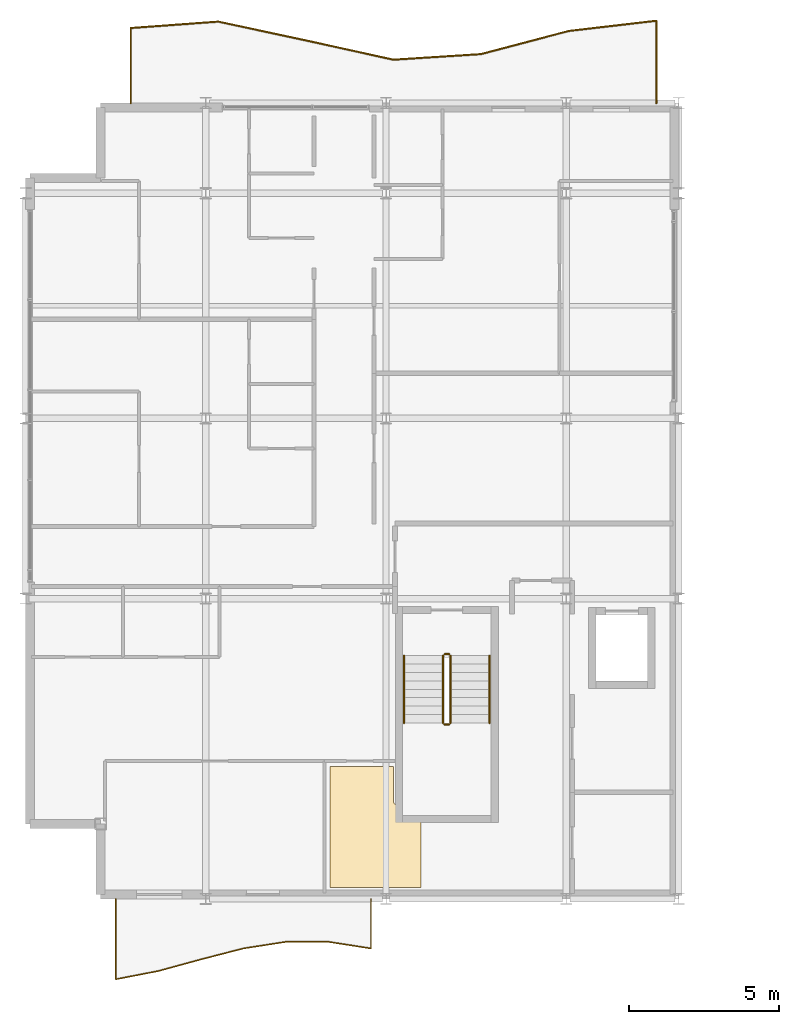
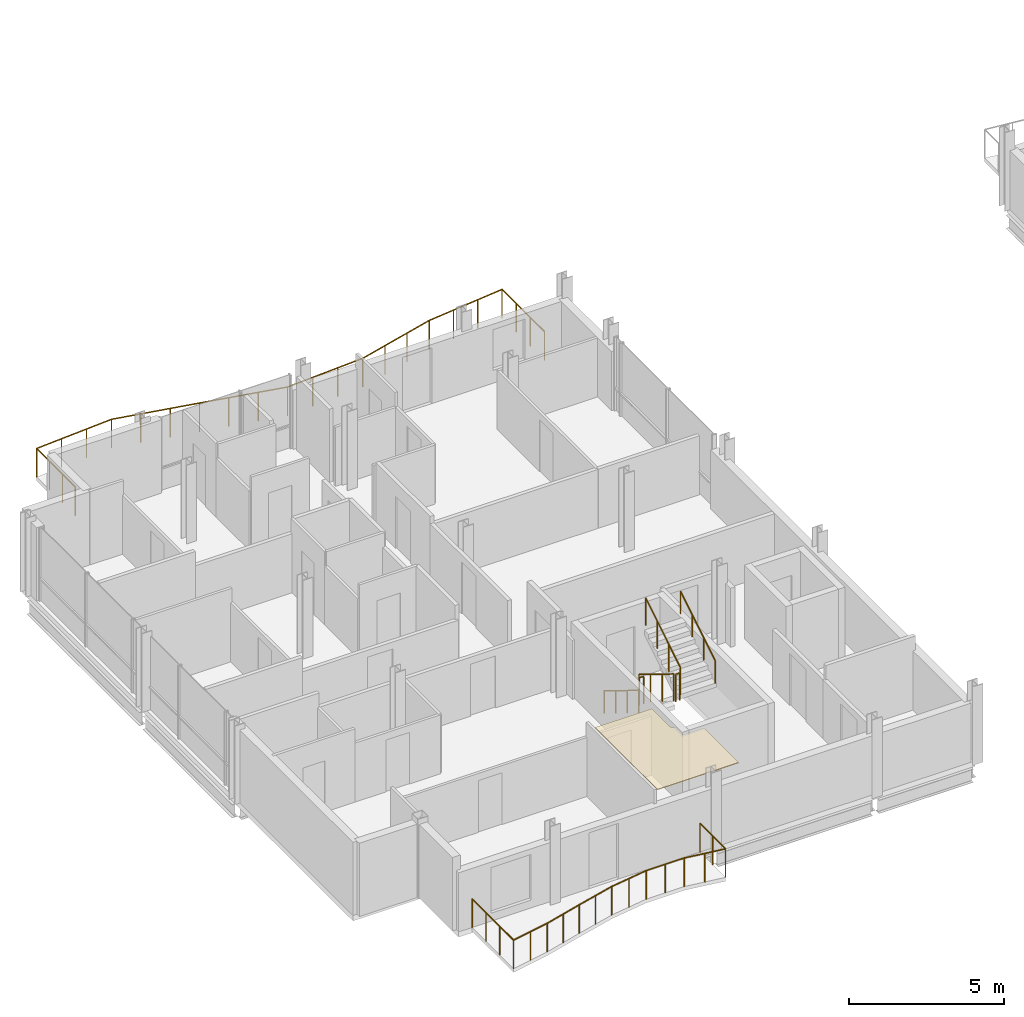
# One storey, part 28 of 29: 8 railings, 1 covering.
"""IFC4 building model written with IfcOpenShell, lengths in metres."""

from ifc_helpers import new_model, si_unit, direction, frame, origin, origin_2d, place, context, subcontext, project, spatial, polyline, circle, outline, extrude, material, layer, layer_set, type_object, element, save


model = new_model("IFC4")

# Units and contexts
model_context = context("Model", 3, precision=1e-05, world=origin(), true_north=direction((0.0, 1.0)))
body_context = subcontext(model_context, "Body", "Model", "MODEL_VIEW")
ifc_project = project(units=[si_unit("LENGTHUNIT", "METRE"), si_unit("AREAUNIT", "SQUARE_METRE"), si_unit("VOLUMEUNIT", "CUBIC_METRE"), si_unit("PLANEANGLEUNIT", "RADIAN"), si_unit("MASSUNIT", "GRAM", prefix="KILO")], contexts=[model_context])

# Site, building, storey
site_placement = place(None, origin())
site = spatial("IfcSite", under=ifc_project, at=site_placement, CompositionType="ELEMENT")
building_placement = place(site_placement, origin())
building = spatial("IfcBuilding", under=site, at=building_placement, Name="Brevholm Reach", CompositionType="ELEMENT")
storey_placement = place(building_placement, frame((0.0, 0.0, 201.800048828125)))
storey = spatial("IfcBuildingStorey", under=building, at=storey_placement, Name="L61", CompositionType="ELEMENT", Elevation=201.800048828125)

# Covering
ifc_material_1 = material(Name="Moisture-Resistant Skimmed Gypsum Plasterboard Ceiling", Category="gypsum")
ifc_layer = layer(ifc_material_1, 0.030029296875)
ifc_layer_set = layer_set([ifc_layer], Name="Moisture-Resistant Skimmed Gypsum Plasterboard Ceiling")
covering_type = type_object("IfcCoveringType", Name="COV-CLG-GYP", PredefinedType="CEILING", material=ifc_layer_set)
covering_placement = place(storey_placement, frame((0.0, 0.0, 2.68994140625)))
element("IfcCovering", 1, at=covering_placement, inside=storey, type_object=covering_type, Name="L61 Suspended Ceiling L61-26", PredefinedType="CEILING", context=body_context, shape_type="SweptSolid", body=[
    extrude(outline(polyline([(12.24609375, 4.406005859375), (12.24658203125, 3.277587890625), (12.24755859375, 3.260009765625), (12.250244140625, 3.24267578125), (12.25439453125, 3.2255859375), (12.260498046875, 3.208984375), (12.267822265625, 3.193115234375), (12.277099609375, 3.177978515625), (12.28759765625, 3.163818359375), (12.29931640625, 3.150634765625), (12.3125, 3.138916015625), (12.326416015625, 3.128173828125), (12.341796875, 3.119140625), (12.357666015625, 3.111572265625), (12.374267578125, 3.105712890625), (12.391357421875, 3.101318359375), (12.39990234375, 3.10009765625), (12.39990234375, 2.6298828125), (13.166015625, 2.6298828125), (13.166015625, 0.3798828125), (12.123779296875, 0.3798828125), (12.1162109375, 0.3828125), (12.077880859375, 0.392333984375), (12.039306640625, 0.398193359375), (12.0, 0.39990234375), (11.960693359375, 0.398193359375), (11.922119140625, 0.392333984375), (11.8837890625, 0.3828125), (11.876220703125, 0.3798828125), (10.1298828125, 0.3798828125), (10.1298828125, 4.406005859375), (12.24609375, 4.406005859375)])), origin(), (0.0, 0.0, 1.0), 0.030029296875),
])

# Railings
ifc_material_2 = material(Name="Brushed Stainless Steel EN 1.4401 and Laminated Glass", Category="steel")
railing_type_1 = type_object("IfcRailingType", Name="RAL-BALC-1150", PredefinedType="BALUSTRADE", material=ifc_material_2)
railing_1_placement = place(storey_placement, frame((21.0, 26.5, 0.0)))
element("IfcRailing", 2, at=railing_1_placement, inside=storey, type_object=railing_type_1, Name="L61 Guard Balustrade RAL-L61-BAL-NW", PredefinedType="BALUSTRADE", context=body_context, shape_type="SweptSolid", body=[
    extrude(circle(Radius=0.02392578125, at=origin_2d()), frame((0.0, 0.0, 1.1259765625), z_axis=(0.0, 1.0, 0.0), x_axis=(-1.0, 0.0, 0.0)), (0.0, 0.0, 1.0), 2.74169921875),
    extrude(circle(Radius=0.02392578125, at=origin_2d()), frame((0.0, 2.74169921875, 1.1259765625), z_axis=(-0.99329006652, -0.11564965954, 0.0), x_axis=(0.11564965954, -0.99329006652, 0.0)), (0.0, 0.0, 1.0), 2.9365234375),
    extrude(circle(Radius=0.02392578125, at=origin_2d()), frame((-2.916748046875, 2.402099609375, 1.1259765625), z_axis=(-0.966868735292, -0.255274065889, 0.0), x_axis=(0.255274065889, -0.966868735292, 0.0)), (0.0, 0.0, 1.0), 3.016357421875),
    extrude(circle(Radius=0.02392578125, at=origin_2d()), frame((-5.833251953125, 1.632080078125, 1.1259765625), z_axis=(-0.997945514781, -0.06406831923, 0.0), x_axis=(0.06406831923, -0.997945514781, 0.0)), (0.0, 0.0, 1.0), 2.9228515625),
    extrude(circle(Radius=0.02392578125, at=origin_2d()), frame((-8.75, 1.44482421875, 1.1259765625), z_axis=(-0.976615982801, 0.214991214093, 0.0), x_axis=(-0.214991214093, -0.976615982801, 0.0)), (0.0, 0.0, 1.0), 2.986572265625),
    extrude(circle(Radius=0.02392578125, at=origin_2d()), frame((-11.666748046875, 2.0869140625, 1.1259765625), z_axis=(-0.977716094956, 0.209931507079, 0.0), x_axis=(-0.209931507079, -0.977716094956, 0.0)), (0.0, 0.0, 1.0), 2.98291015625),
    extrude(circle(Radius=0.02392578125, at=origin_2d()), frame((-14.583251953125, 2.713134765625, 1.1259765625), z_axis=(-0.997334760815, -0.072961461535, 0.0), x_axis=(0.072961461535, -0.997334760815, 0.0)), (0.0, 0.0, 1.0), 2.924560546875),
    extrude(circle(Radius=0.02392578125, at=origin_2d()), frame((-17.5, 2.499755859375, 1.1259765625), z_axis=(0.0, -1.0, 0.0), x_axis=(1.0, 0.0, 0.0)), (0.0, 0.0, 1.0), 2.499755859375),
    extrude(circle(Radius=0.02099609375, at=origin_2d()), origin(), (0.0, 0.0, 1.0), 1.101806640625),
    extrude(circle(Radius=0.02099609375, at=origin_2d()), frame((0.0, 0.913818359375, 0.0)), (0.0, 0.0, 1.0), 1.101806640625),
    extrude(circle(Radius=0.02099609375, at=origin_2d()), frame((0.0, 1.827880859375, 0.0)), (0.0, 0.0, 1.0), 1.101806640625),
    extrude(circle(Radius=0.02099609375, at=origin_2d()), frame((0.0, 2.74169921875, 0.0)), (0.0, 0.0, 1.0), 1.101806640625),
    extrude(circle(Radius=0.02099609375, at=origin_2d()), frame((-0.97216796875, 2.62841796875, 0.0)), (0.0, 0.0, 1.0), 1.101806640625),
    extrude(circle(Radius=0.02099609375, at=origin_2d()), frame((-1.944580078125, 2.515380859375, 0.0)), (0.0, 0.0, 1.0), 1.101806640625),
    extrude(circle(Radius=0.02099609375, at=origin_2d()), frame((-2.916748046875, 2.402099609375, 0.0)), (0.0, 0.0, 1.0), 1.101806640625),
    extrude(circle(Radius=0.02099609375, at=origin_2d()), frame((-3.888916015625, 2.1455078125, 0.0)), (0.0, 0.0, 1.0), 1.101806640625),
    extrude(circle(Radius=0.02099609375, at=origin_2d()), frame((-4.861083984375, 1.888671875, 0.0)), (0.0, 0.0, 1.0), 1.101806640625),
    extrude(circle(Radius=0.02099609375, at=origin_2d()), frame((-5.833251953125, 1.632080078125, 0.0)), (0.0, 0.0, 1.0), 1.101806640625),
    extrude(circle(Radius=0.02099609375, at=origin_2d()), frame((-6.805419921875, 1.569580078125, 0.0)), (0.0, 0.0, 1.0), 1.101806640625),
    extrude(circle(Radius=0.02099609375, at=origin_2d()), frame((-7.77783203125, 1.50732421875, 0.0)), (0.0, 0.0, 1.0), 1.101806640625),
    extrude(circle(Radius=0.02099609375, at=origin_2d()), frame((-8.75, 1.44482421875, 0.0)), (0.0, 0.0, 1.0), 1.101806640625),
    extrude(circle(Radius=0.02099609375, at=origin_2d()), frame((-9.72216796875, 1.658935546875, 0.0)), (0.0, 0.0, 1.0), 1.101806640625),
    extrude(circle(Radius=0.02099609375, at=origin_2d()), frame((-10.694580078125, 1.872802734375, 0.0)), (0.0, 0.0, 1.0), 1.101806640625),
    extrude(circle(Radius=0.02099609375, at=origin_2d()), frame((-11.666748046875, 2.0869140625, 0.0)), (0.0, 0.0, 1.0), 1.101806640625),
    extrude(circle(Radius=0.02099609375, at=origin_2d()), frame((-12.638916015625, 2.295654296875, 0.0)), (0.0, 0.0, 1.0), 1.101806640625),
    extrude(circle(Radius=0.02099609375, at=origin_2d()), frame((-13.611083984375, 2.50439453125, 0.0)), (0.0, 0.0, 1.0), 1.101806640625),
    extrude(circle(Radius=0.02099609375, at=origin_2d()), frame((-14.583251953125, 2.713134765625, 0.0)), (0.0, 0.0, 1.0), 1.101806640625),
    extrude(circle(Radius=0.02099609375, at=origin_2d()), frame((-15.555419921875, 2.64208984375, 0.0)), (0.0, 0.0, 1.0), 1.101806640625),
    extrude(circle(Radius=0.02099609375, at=origin_2d()), frame((-16.52783203125, 2.57080078125, 0.0)), (0.0, 0.0, 1.0), 1.101806640625),
    extrude(circle(Radius=0.02099609375, at=origin_2d()), frame((-17.5, 2.499755859375, 0.0)), (0.0, 0.0, 1.0), 1.101806640625),
    extrude(circle(Radius=0.02099609375, at=origin_2d()), frame((-17.5, 1.66650390625, 0.0)), (0.0, 0.0, 1.0), 1.101806640625),
    extrude(circle(Radius=0.02099609375, at=origin_2d()), frame((-17.5, 0.833251953125, 0.0)), (0.0, 0.0, 1.0), 1.101806640625),
    extrude(circle(Radius=0.02099609375, at=origin_2d()), frame((-17.5, 0.0, 0.0)), (0.0, 0.0, 1.0), 1.101806640625),
])
railing_2_placement = place(storey_placement, frame((3.0, 0.0, 0.0)))
element("IfcRailing", 3, at=railing_2_placement, inside=storey, type_object=railing_type_1, Name="L61 Guard Balustrade RAL-L61-BAL-SW", PredefinedType="BALUSTRADE", context=body_context, shape_type="SweptSolid", body=[
    extrude(circle(Radius=0.02392578125, at=origin_2d()), frame((0.0, 0.0, 1.1259765625), z_axis=(0.0, -1.0, 0.0), x_axis=(1.0, 0.0, 0.0)), (0.0, 0.0, 1.0), 2.676513671875),
    extrude(circle(Radius=0.02392578125, at=origin_2d()), frame((0.0, -2.676513671875, 1.1259765625), z_axis=(0.98175336952, 0.190158674365, 0.0), x_axis=(-0.190158674365, 0.98175336952, 0.0)), (0.0, 0.0, 1.0), 1.443115234375),
    extrude(circle(Radius=0.02392578125, at=origin_2d()), frame((1.416748046875, -2.402099609375, 1.1259765625), z_axis=(0.964821360478, 0.262906337628, 0.0), x_axis=(-0.262906337628, 0.964821360478, 0.0)), (0.0, 0.0, 1.0), 1.46826171875),
    extrude(circle(Radius=0.02392578125, at=origin_2d()), frame((2.833251953125, -2.01611328125, 1.1259765625), z_axis=(0.968218696825, 0.250105088151, 0.0), x_axis=(-0.250105088151, 0.968218696825, 0.0)), (0.0, 0.0, 1.0), 1.463134765625),
    extrude(circle(Radius=0.02392578125, at=origin_2d()), frame((4.25, -1.650146484375, 1.1259765625), z_axis=(0.988082538492, 0.153924972393, 0.0), x_axis=(-0.153924972393, 0.988082538492, 0.0)), (0.0, 0.0, 1.0), 1.433837890625),
    extrude(circle(Radius=0.02392578125, at=origin_2d()), frame((5.666748046875, -1.429443359375, 1.1259765625), z_axis=(1.0, 0.0, 0.0), x_axis=(0.0, 1.0, 0.0)), (0.0, 0.0, 1.0), 1.41650390625),
    extrude(circle(Radius=0.02392578125, at=origin_2d()), frame((7.083251953125, -1.429443359375, 1.1259765625), z_axis=(0.988082538492, -0.153924972393, 0.0), x_axis=(0.153924972393, 0.988082538492, 0.0)), (0.0, 0.0, 1.0), 1.433837890625),
    extrude(circle(Radius=0.02392578125, at=origin_2d()), frame((8.5, -1.650146484375, 1.1259765625), z_axis=(0.0, 1.0, 0.0), x_axis=(-1.0, 0.0, 0.0)), (0.0, 0.0, 1.0), 1.650146484375),
    extrude(circle(Radius=0.02099609375, at=origin_2d()), origin(), (0.0, 0.0, 1.0), 1.101806640625),
    extrude(circle(Radius=0.02099609375, at=origin_2d()), frame((0.0, -0.89208984375, 0.0)), (0.0, 0.0, 1.0), 1.101806640625),
    extrude(circle(Radius=0.02099609375, at=origin_2d()), frame((0.0, -1.784423828125, 0.0)), (0.0, 0.0, 1.0), 1.101806640625),
    extrude(circle(Radius=0.02099609375, at=origin_2d()), frame((0.0, -2.676513671875, 0.0)), (0.0, 0.0, 1.0), 1.101806640625),
    extrude(circle(Radius=0.02099609375, at=origin_2d()), frame((0.70849609375, -2.539306640625, 0.0)), (0.0, 0.0, 1.0), 1.101806640625),
    extrude(circle(Radius=0.02099609375, at=origin_2d()), frame((1.416748046875, -2.402099609375, 0.0)), (0.0, 0.0, 1.0), 1.101806640625),
    extrude(circle(Radius=0.02099609375, at=origin_2d()), frame((2.125, -2.208984375, 0.0)), (0.0, 0.0, 1.0), 1.101806640625),
    extrude(circle(Radius=0.02099609375, at=origin_2d()), frame((2.833251953125, -2.01611328125, 0.0)), (0.0, 0.0, 1.0), 1.101806640625),
    extrude(circle(Radius=0.02099609375, at=origin_2d()), frame((3.54150390625, -1.8330078125, 0.0)), (0.0, 0.0, 1.0), 1.101806640625),
    extrude(circle(Radius=0.02099609375, at=origin_2d()), frame((4.25, -1.650146484375, 0.0)), (0.0, 0.0, 1.0), 1.101806640625),
    extrude(circle(Radius=0.02099609375, at=origin_2d()), frame((4.95849609375, -1.539794921875, 0.0)), (0.0, 0.0, 1.0), 1.101806640625),
    extrude(circle(Radius=0.02099609375, at=origin_2d()), frame((5.666748046875, -1.429443359375, 0.0)), (0.0, 0.0, 1.0), 1.101806640625),
    extrude(circle(Radius=0.02099609375, at=origin_2d()), frame((6.375, -1.429443359375, 0.0)), (0.0, 0.0, 1.0), 1.101806640625),
    extrude(circle(Radius=0.02099609375, at=origin_2d()), frame((7.083251953125, -1.429443359375, 0.0)), (0.0, 0.0, 1.0), 1.101806640625),
    extrude(circle(Radius=0.02099609375, at=origin_2d()), frame((7.79150390625, -1.539794921875, 0.0)), (0.0, 0.0, 1.0), 1.101806640625),
    extrude(circle(Radius=0.02099609375, at=origin_2d()), frame((8.5, -1.650146484375, 0.0)), (0.0, 0.0, 1.0), 1.101806640625),
    extrude(circle(Radius=0.02099609375, at=origin_2d()), frame((8.5, -0.8251953125, 0.0)), (0.0, 0.0, 1.0), 1.101806640625),
    extrude(circle(Radius=0.02099609375, at=origin_2d()), frame((8.5, 0.0, 0.0)), (0.0, 0.0, 1.0), 1.101806640625),
])
ifc_material_3 = material(Name="Brushed Stainless Steel EN 1.4401 Continuous Handrail", Category="steel")
railing_type_2 = type_object("IfcRailingType", Name="RAL-HND-950", PredefinedType="HANDRAIL", material=ifc_material_3)
railing_3_placement = place(storey_placement, frame((12.60009765625, 8.10009765625, 0.172119140625)))
element("IfcRailing", 4, at=railing_3_placement, inside=storey, type_object=railing_type_2, Name="L61 ST-1 stair handrail 1", PredefinedType="HANDRAIL", context=body_context, shape_type="SweptSolid", body=[
    extrude(circle(Radius=0.02392578125, at=origin_2d()), frame((0.0, 0.0, 0.8857421875), z_axis=(0.0, -0.851747552033, 0.523952390591), x_axis=(1.0, 0.0, 0.0)), (0.0, 0.0, 1.0), 2.6298828125),
    extrude(circle(Radius=0.02099609375, at=origin_2d()), origin(), (0.0, 0.0, 1.0), 0.86181640625),
    extrude(circle(Radius=0.02099609375, at=origin_2d()), frame((0.0, -0.74658203125, 0.459228515625)), (0.0, 0.0, 1.0), 0.86181640625),
    extrude(circle(Radius=0.02099609375, at=origin_2d()), frame((0.0, -1.493408203125, 0.918701171875)), (0.0, 0.0, 1.0), 0.86181640625),
    extrude(circle(Radius=0.02099609375, at=origin_2d()), frame((0.0, -2.239990234375, 1.3779296875)), (0.0, 0.0, 1.0), 0.86181640625),
])
railing_4_placement = place(storey_placement, frame((15.449951171875, 5.860107421875, 1.72216796875)))
element("IfcRailing", 5, at=railing_4_placement, inside=storey, type_object=railing_type_2, Name="L61 ST-1 stair handrail 2", PredefinedType="HANDRAIL", context=body_context, shape_type="SweptSolid", body=[
    extrude(circle(Radius=0.02392578125, at=origin_2d()), frame((0.0, 0.0, 0.8857421875), z_axis=(0.0, 0.85178898068, 0.523885037382), x_axis=(-1.0, 0.0, 0.0)), (0.0, 0.0, 1.0), 2.629638671875),
    extrude(circle(Radius=0.02099609375, at=origin_2d()), origin(), (0.0, 0.0, 1.0), 0.86181640625),
    extrude(circle(Radius=0.02099609375, at=origin_2d()), frame((0.0, 0.74658203125, 0.459228515625)), (0.0, 0.0, 1.0), 0.86181640625),
    extrude(circle(Radius=0.02099609375, at=origin_2d()), frame((0.0, 1.493408203125, 0.91845703125)), (0.0, 0.0, 1.0), 0.86181640625),
    extrude(circle(Radius=0.02099609375, at=origin_2d()), frame((0.0, 2.239990234375, 1.377685546875)), (0.0, 0.0, 1.0), 0.86181640625),
])
ifc_material_4 = material(Name="Painted Tubular Galvanised Steel S275JR Stair Guard", Category="steel")
railing_type_3 = type_object("IfcRailingType", Name="RAL-STG-1120", PredefinedType="BALUSTRADE", material=ifc_material_4)
railing_5_placement = place(storey_placement, frame((13.89990234375, 8.10009765625, 0.172119140625)))
element("IfcRailing", 6, at=railing_5_placement, inside=storey, type_object=railing_type_3, Name="L61 ST-1 stair guard 1", PredefinedType="BALUSTRADE", context=body_context, shape_type="SweptSolid", body=[
    extrude(circle(Radius=0.02392578125, at=origin_2d()), frame((0.0, 0.0, 1.076171875), z_axis=(0.0, -0.851747552033, 0.523952390591), x_axis=(1.0, 0.0, 0.0)), (0.0, 0.0, 1.0), 2.6298828125),
    extrude(circle(Radius=0.02099609375, at=origin_2d()), origin(), (0.0, 0.0, 1.0), 1.052001953125),
    extrude(circle(Radius=0.02099609375, at=origin_2d()), frame((0.0, -0.74658203125, 0.459228515625)), (0.0, 0.0, 1.0), 1.052001953125),
    extrude(circle(Radius=0.02099609375, at=origin_2d()), frame((0.0, -1.493408203125, 0.918701171875)), (0.0, 0.0, 1.0), 1.052001953125),
    extrude(circle(Radius=0.02099609375, at=origin_2d()), frame((0.0, -2.239990234375, 1.3779296875)), (0.0, 0.0, 1.0), 1.052001953125),
])
railing_6_placement = place(storey_placement, frame((13.949951171875, 5.81005859375, 1.550048828125)))
element("IfcRailing", 7, at=railing_6_placement, inside=storey, type_object=railing_type_3, Name="L61 ST-1 stair guard 2", PredefinedType="BALUSTRADE", context=body_context, shape_type="SweptSolid", body=[
    extrude(circle(Radius=0.02392578125, at=origin_2d()), frame((0.0, 0.0, 1.076171875), z_axis=(1.0, 0.0, 0.0), x_axis=(0.0, 1.0, 0.0)), (0.0, 0.0, 1.0), 0.150146484375),
    extrude(circle(Radius=0.02099609375, at=origin_2d()), origin(), (0.0, 0.0, 1.0), 1.052001953125),
    extrude(circle(Radius=0.02099609375, at=origin_2d()), frame((0.150146484375, 0.0, 0.0)), (0.0, 0.0, 1.0), 1.052001953125),
])
railing_7_placement = place(storey_placement, frame((14.14990234375, 5.860107421875, 1.72216796875)))
element("IfcRailing", 8, at=railing_7_placement, inside=storey, type_object=railing_type_3, Name="L61 ST-1 stair guard 3", PredefinedType="BALUSTRADE", context=body_context, shape_type="SweptSolid", body=[
    extrude(circle(Radius=0.02392578125, at=origin_2d()), frame((0.0, 0.0, 1.076171875), z_axis=(0.0, 0.85178898068, 0.523885037382), x_axis=(-1.0, 0.0, 0.0)), (0.0, 0.0, 1.0), 2.629638671875),
    extrude(circle(Radius=0.02099609375, at=origin_2d()), origin(), (0.0, 0.0, 1.0), 1.052001953125),
    extrude(circle(Radius=0.02099609375, at=origin_2d()), frame((0.0, 0.74658203125, 0.459228515625)), (0.0, 0.0, 1.0), 1.052001953125),
    extrude(circle(Radius=0.02099609375, at=origin_2d()), frame((0.0, 1.493408203125, 0.91845703125)), (0.0, 0.0, 1.0), 1.052001953125),
    extrude(circle(Radius=0.02099609375, at=origin_2d()), frame((0.0, 2.239990234375, 1.377685546875)), (0.0, 0.0, 1.0), 1.052001953125),
])
railing_8_placement = place(storey_placement, frame((13.949951171875, 8.14990234375, 0.0)))
element("IfcRailing", 9, at=railing_8_placement, inside=storey, type_object=railing_type_3, Name="L61 ST-1 stair guard 4", PredefinedType="BALUSTRADE", context=body_context, shape_type="SweptSolid", body=[
    extrude(circle(Radius=0.02392578125, at=origin_2d()), frame((0.0, 0.0, 1.076171875), z_axis=(1.0, 0.0, 0.0), x_axis=(0.0, 1.0, 0.0)), (0.0, 0.0, 1.0), 0.150146484375),
    extrude(circle(Radius=0.02099609375, at=origin_2d()), origin(), (0.0, 0.0, 1.0), 1.052001953125),
    extrude(circle(Radius=0.02099609375, at=origin_2d()), frame((0.150146484375, 0.0, 0.0)), (0.0, 0.0, 1.0), 1.052001953125),
])

save(model, "model.ifc")
